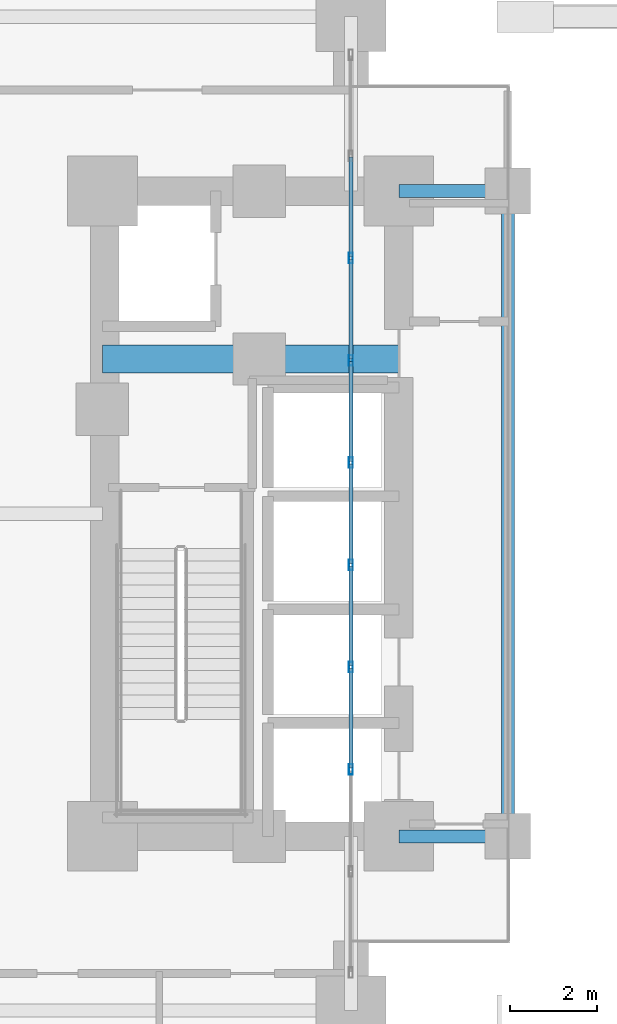
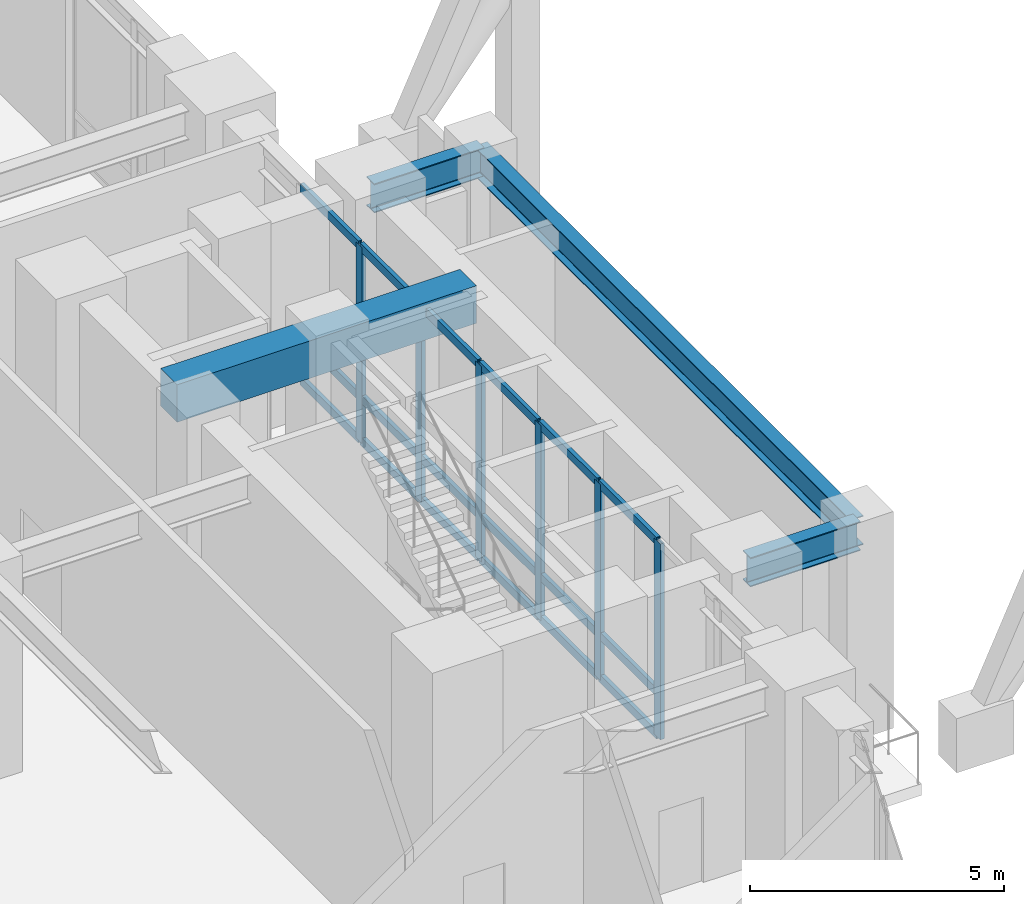
# One storey, part 5 of 26: 24 members, 4 beams, 1 element without a shape of its own.
"""IFC4 building model written with IfcOpenShell, lengths in metres."""

from ifc_helpers import new_model, si_unit, direction, frame, origin, origin_2d, place, context, subcontext, project, spatial, rectangle, hollow_rectangle, i_section, extrude, material, layer, layer_set, material_profile, profile_set, type_object, element, aggregate, save


model = new_model("IFC4")

# Units and contexts
model_context = context("Model", 3, precision=1e-05, world=origin(), true_north=direction((0.0, 1.0)))
body_context = subcontext(model_context, "Body", "Model", "MODEL_VIEW")
ifc_project = project(units=[si_unit("LENGTHUNIT", "METRE"), si_unit("AREAUNIT", "SQUARE_METRE"), si_unit("VOLUMEUNIT", "CUBIC_METRE"), si_unit("PLANEANGLEUNIT", "RADIAN"), si_unit("MASSUNIT", "GRAM", prefix="KILO")], contexts=[model_context])

# Site, building, storey
site_placement = place(None, origin())
site = spatial("IfcSite", under=ifc_project, at=site_placement, CompositionType="ELEMENT")
building_placement = place(site_placement, origin())
building = spatial("IfcBuilding", under=site, at=building_placement, Name="Voryun Gate Residences", CompositionType="ELEMENT")
storey_placement = place(building_placement, frame((0.0, 0.0, 10.39990234375)))
storey = spatial("IfcBuildingStorey", under=building, at=storey_placement, Name="L02", CompositionType="ELEMENT", Elevation=10.39990234375)

# Beams
ifc_material_1 = material(Name="Concrete C60/75", Category="concrete")
ifc_material_profile_1 = material_profile(ifc_material_1, rectangle(XDim=0.64990234375, YDim=0.89990234375, at=origin_2d()), Name="RC-650x900")
ifc_profile_set_1 = profile_set([ifc_material_profile_1], Name="Concrete C60/75")
beam_type_1 = type_object("IfcBeamType", Name="BM_COUP_RC900", PredefinedType="LINTEL", material=ifc_profile_set_1)
beam_1_placement = place(storey_placement, frame((-19.199951171875, 3.550048828125, 4.47021484375), z_axis=(1.0, 0.0, 0.0), x_axis=(0.0, 1.0, 0.0)))
element("IfcBeam", 1, at=beam_1_placement, inside=storey, type_object=beam_type_1, Name="BM-L02-WC1", PredefinedType="LINTEL", context=body_context, shape_type="SweptSolid", body=[
    extrude(rectangle(XDim=0.64990234375, YDim=0.89990234375, at=origin_2d()), origin(), (0.0, 0.0, 1.0), 6.800048828125),
])
ifc_material_2 = material(Name="Steel SM355", Category="steel")
ifc_material_profile_2 = material_profile(ifc_material_2, i_section(OverallWidth=0.300048828125, OverallDepth=0.699951171875, WebThickness=0.012939453125, FlangeThickness=0.02392578125, FilletRadius=0.01806640625, at=origin_2d()), Name="H-700x300x13x24")
ifc_profile_set_2 = profile_set([ifc_material_profile_2], Name="Steel SM355")
beam_type_2 = type_object("IfcBeamType", Name="BM_GIRD_700", PredefinedType="USERDEFINED", material=ifc_profile_set_2)
for number, where, z_axis, x_axis, name in (
    (2, (-12.39990234375, -7.39990234375, 4.570068359375), (1.0, 0.0, 0.0), (0.0, 1.0, 0.0), "BM-L02-CLRX-CLR-WS"),
    (3, (-12.39990234375, 7.39990234375, 4.570068359375), (1.0, 0.0, 0.0), (0.0, 1.0, 0.0), "BM-L02-CLRX-CLR-WN"),
):
    element("IfcBeam", number, at=place(storey_placement, frame(where, z_axis=z_axis, x_axis=x_axis)), inside=storey, type_object=beam_type_2, Name=name, ObjectType="GIRDER", PredefinedType="USERDEFINED", context=body_context, shape_type="SweptSolid", body=[
        extrude(i_section(OverallWidth=0.300048828125, OverallDepth=0.699951171875, WebThickness=0.012939453125, FlangeThickness=0.02392578125, FilletRadius=0.01806640625, at=origin_2d()), origin(), (0.0, 0.0, 1.0), 2.5),
    ])
beam_2_placement = place(storey_placement, frame((-9.89990234375, -7.39990234375, 4.570068359375), z_axis=(0.0, 1.0, 0.0), x_axis=(-1.0, 0.0, 0.0)))
element("IfcBeam", 4, at=beam_2_placement, inside=storey, type_object=beam_type_2, Name="BM-L02-CLRY-W", ObjectType="GIRDER", PredefinedType="USERDEFINED", context=body_context, shape_type="SweptSolid", body=[
    extrude(i_section(OverallWidth=0.300048828125, OverallDepth=0.699951171875, WebThickness=0.012939453125, FlangeThickness=0.02392578125, FilletRadius=0.01806640625, at=origin_2d()), origin(), (0.0, 0.0, 1.0), 14.7998046875),
])

# Curtain wall, members
ifc_material_3 = material(Name="Anodised aluminium", Category="aluminium")
ifc_layer = layer(ifc_material_3, 0.239990234375, Name="CW_SYS_ARCH_DARK_GLASS")
ifc_layer_set = layer_set([ifc_layer], Name="Anodised aluminium")
curtain_wall_type = type_object("IfcCurtainWallType", Name="CW_SYS_ARCH_DARK_GLASS", PredefinedType="NOTDEFINED", material=ifc_layer_set)
curtain_wall_placement = place(storey_placement, origin())
curtain_wall = element("IfcCurtainWall", 5, at=curtain_wall_placement, inside=storey, type_object=curtain_wall_type, Name="Curtain wall CW2-L02-WP-M", PredefinedType="NOTDEFINED")
ifc_material_4 = material(Name="Anodised aluminium", Category="aluminium")
ifc_material_profile_3 = material_profile(ifc_material_4, hollow_rectangle(XDim=0.090087890625, YDim=0.239990234375, WallThickness=0.006103515625, at=origin_2d()), Name="ALU-MULL-240x90x6")
ifc_profile_set_3 = profile_set([ifc_material_profile_3], Name="Anodised aluminium")
member_type_1 = type_object("IfcMemberType", Name="CW_MULL_ARCH", PredefinedType="MULLION", material=ifc_profile_set_3)
member_1_placement = place(storey_placement, frame((-13.5, -5.86376953125, 0.0), z_axis=(0.0, 0.0, 1.0), x_axis=(-1.0, 0.0, 0.0)))
member_1 = element("IfcMember", 6, at=member_1_placement, type_object=member_type_1, Name="CW2 mullion 3", PredefinedType="MULLION", context=body_context, shape_type="SweptSolid", body=[
    extrude(hollow_rectangle(XDim=0.090087890625, YDim=0.239990234375, WallThickness=0.006103515625, at=origin_2d()), origin(), (0.0, 0.0, 1.0), 4.7001953125),
])
member_2_placement = place(storey_placement, frame((-13.5, -3.518310546875, 0.0), z_axis=(0.0, 0.0, 1.0), x_axis=(-1.0, 0.0, 0.0)))
member_2 = element("IfcMember", 7, at=member_2_placement, type_object=member_type_1, Name="CW2 mullion 4", PredefinedType="MULLION", context=body_context, shape_type="SweptSolid", body=[
    extrude(hollow_rectangle(XDim=0.090087890625, YDim=0.239990234375, WallThickness=0.006103515625, at=origin_2d()), origin(), (0.0, 0.0, 1.0), 4.7001953125),
])
member_3_placement = place(storey_placement, frame((-13.5, -1.1728515625, 0.0), z_axis=(0.0, 0.0, 1.0), x_axis=(-1.0, 0.0, 0.0)))
member_3 = element("IfcMember", 8, at=member_3_placement, type_object=member_type_1, Name="CW2 mullion 5", PredefinedType="MULLION", context=body_context, shape_type="SweptSolid", body=[
    extrude(hollow_rectangle(XDim=0.090087890625, YDim=0.239990234375, WallThickness=0.006103515625, at=origin_2d()), origin(), (0.0, 0.0, 1.0), 4.7001953125),
])
member_4_placement = place(storey_placement, frame((-13.5, 1.1728515625, 0.0), z_axis=(0.0, 0.0, 1.0), x_axis=(-1.0, 0.0, 0.0)))
member_4 = element("IfcMember", 9, at=member_4_placement, type_object=member_type_1, Name="CW2 mullion 6", PredefinedType="MULLION", context=body_context, shape_type="SweptSolid", body=[
    extrude(hollow_rectangle(XDim=0.090087890625, YDim=0.239990234375, WallThickness=0.006103515625, at=origin_2d()), origin(), (0.0, 0.0, 1.0), 4.7001953125),
])
member_5_placement = place(storey_placement, frame((-13.5, 3.518310546875, 0.0), z_axis=(0.0, 0.0, 1.0), x_axis=(-1.0, 0.0, 0.0)))
member_5 = element("IfcMember", 10, at=member_5_placement, type_object=member_type_1, Name="CW2 mullion 7", PredefinedType="MULLION", context=body_context, shape_type="SweptSolid", body=[
    extrude(hollow_rectangle(XDim=0.090087890625, YDim=0.239990234375, WallThickness=0.006103515625, at=origin_2d()), origin(), (0.0, 0.0, 1.0), 4.7001953125),
])
member_6_placement = place(storey_placement, frame((-13.5, 5.86376953125, 0.0), z_axis=(0.0, 0.0, 1.0), x_axis=(-1.0, 0.0, 0.0)))
member_6 = element("IfcMember", 11, at=member_6_placement, type_object=member_type_1, Name="CW2 mullion 8", PredefinedType="MULLION", context=body_context, shape_type="SweptSolid", body=[
    extrude(hollow_rectangle(XDim=0.090087890625, YDim=0.239990234375, WallThickness=0.006103515625, at=origin_2d()), origin(), (0.0, 0.0, 1.0), 4.7001953125),
])
ifc_material_5 = material(Name="Anodised aluminium", Category="aluminium")
ifc_material_profile_4 = material_profile(ifc_material_5, hollow_rectangle(XDim=0.090087890625, YDim=0.199951171875, WallThickness=0.006103515625, at=origin_2d()), Name="ALU-TRAN-200x90x6")
ifc_profile_set_4 = profile_set([ifc_material_profile_4], Name="Anodised aluminium")
member_type_2 = type_object("IfcMemberType", Name="CW_TRAN_ARCH", PredefinedType="USERDEFINED", material=ifc_profile_set_4)
member_7_placement = place(storey_placement, frame((-13.5, -5.833984375, 0.030029296875), z_axis=(0.0, 1.0, 0.0), x_axis=(-1.0, 0.0, 0.0)))
member_7 = element("IfcMember", 12, at=member_7_placement, type_object=member_type_2, Name="CW2 transom 3.1", ObjectType="TRANSOM", PredefinedType="USERDEFINED", context=body_context, shape_type="SweptSolid", body=[
    extrude(hollow_rectangle(XDim=0.090087890625, YDim=0.199951171875, WallThickness=0.006103515625, at=origin_2d()), origin(), (0.0, 0.0, 1.0), 2.28564453125),
])
member_8_placement = place(storey_placement, frame((-13.5, -5.833984375, 1.050048828125), z_axis=(0.0, 1.0, 0.0), x_axis=(-1.0, 0.0, 0.0)))
member_8 = element("IfcMember", 13, at=member_8_placement, type_object=member_type_2, Name="CW2 transom 3.2", ObjectType="TRANSOM", PredefinedType="USERDEFINED", context=body_context, shape_type="SweptSolid", body=[
    extrude(hollow_rectangle(XDim=0.090087890625, YDim=0.199951171875, WallThickness=0.006103515625, at=origin_2d()), origin(), (0.0, 0.0, 1.0), 2.28564453125),
])
member_9_placement = place(storey_placement, frame((-13.5, -5.833984375, 4.670166015625), z_axis=(0.0, 1.0, 0.0), x_axis=(-1.0, 0.0, 0.0)))
member_9 = element("IfcMember", 14, at=member_9_placement, type_object=member_type_2, Name="CW2 transom 3.3", ObjectType="TRANSOM", PredefinedType="USERDEFINED", context=body_context, shape_type="SweptSolid", body=[
    extrude(hollow_rectangle(XDim=0.090087890625, YDim=0.199951171875, WallThickness=0.006103515625, at=origin_2d()), origin(), (0.0, 0.0, 1.0), 2.28564453125),
])
member_10_placement = place(storey_placement, frame((-13.5, -3.48828125, 0.030029296875), z_axis=(0.0, 1.0, 0.0), x_axis=(-1.0, 0.0, 0.0)))
member_10 = element("IfcMember", 15, at=member_10_placement, type_object=member_type_2, Name="CW2 transom 4.1", ObjectType="TRANSOM", PredefinedType="USERDEFINED", context=body_context, shape_type="SweptSolid", body=[
    extrude(hollow_rectangle(XDim=0.090087890625, YDim=0.199951171875, WallThickness=0.006103515625, at=origin_2d()), origin(), (0.0, 0.0, 1.0), 2.285400390625),
])
member_11_placement = place(storey_placement, frame((-13.5, -3.48828125, 1.050048828125), z_axis=(0.0, 1.0, 0.0), x_axis=(-1.0, 0.0, 0.0)))
member_11 = element("IfcMember", 16, at=member_11_placement, type_object=member_type_2, Name="CW2 transom 4.2", ObjectType="TRANSOM", PredefinedType="USERDEFINED", context=body_context, shape_type="SweptSolid", body=[
    extrude(hollow_rectangle(XDim=0.090087890625, YDim=0.199951171875, WallThickness=0.006103515625, at=origin_2d()), origin(), (0.0, 0.0, 1.0), 2.285400390625),
])
member_12_placement = place(storey_placement, frame((-13.5, -3.48828125, 4.670166015625), z_axis=(0.0, 1.0, 0.0), x_axis=(-1.0, 0.0, 0.0)))
member_12 = element("IfcMember", 17, at=member_12_placement, type_object=member_type_2, Name="CW2 transom 4.3", ObjectType="TRANSOM", PredefinedType="USERDEFINED", context=body_context, shape_type="SweptSolid", body=[
    extrude(hollow_rectangle(XDim=0.090087890625, YDim=0.199951171875, WallThickness=0.006103515625, at=origin_2d()), origin(), (0.0, 0.0, 1.0), 2.285400390625),
])
member_13_placement = place(storey_placement, frame((-13.5, -1.142822265625, 0.030029296875), z_axis=(0.0, 1.0, 0.0), x_axis=(-1.0, 0.0, 0.0)))
member_13 = element("IfcMember", 18, at=member_13_placement, type_object=member_type_2, Name="CW2 transom 5.1", ObjectType="TRANSOM", PredefinedType="USERDEFINED", context=body_context, shape_type="SweptSolid", body=[
    extrude(hollow_rectangle(XDim=0.090087890625, YDim=0.199951171875, WallThickness=0.006103515625, at=origin_2d()), origin(), (0.0, 0.0, 1.0), 2.28564453125),
])
member_14_placement = place(storey_placement, frame((-13.5, -1.142822265625, 1.050048828125), z_axis=(0.0, 1.0, 0.0), x_axis=(-1.0, 0.0, 0.0)))
member_14 = element("IfcMember", 19, at=member_14_placement, type_object=member_type_2, Name="CW2 transom 5.2", ObjectType="TRANSOM", PredefinedType="USERDEFINED", context=body_context, shape_type="SweptSolid", body=[
    extrude(hollow_rectangle(XDim=0.090087890625, YDim=0.199951171875, WallThickness=0.006103515625, at=origin_2d()), origin(), (0.0, 0.0, 1.0), 2.28564453125),
])
member_15_placement = place(storey_placement, frame((-13.5, -1.142822265625, 4.670166015625), z_axis=(0.0, 1.0, 0.0), x_axis=(-1.0, 0.0, 0.0)))
member_15 = element("IfcMember", 20, at=member_15_placement, type_object=member_type_2, Name="CW2 transom 5.3", ObjectType="TRANSOM", PredefinedType="USERDEFINED", context=body_context, shape_type="SweptSolid", body=[
    extrude(hollow_rectangle(XDim=0.090087890625, YDim=0.199951171875, WallThickness=0.006103515625, at=origin_2d()), origin(), (0.0, 0.0, 1.0), 2.28564453125),
])
member_16_placement = place(storey_placement, frame((-13.5, 1.202880859375, 0.030029296875), z_axis=(0.0, 1.0, 0.0), x_axis=(-1.0, 0.0, 0.0)))
member_16 = element("IfcMember", 21, at=member_16_placement, type_object=member_type_2, Name="CW2 transom 6.1", ObjectType="TRANSOM", PredefinedType="USERDEFINED", context=body_context, shape_type="SweptSolid", body=[
    extrude(hollow_rectangle(XDim=0.090087890625, YDim=0.199951171875, WallThickness=0.006103515625, at=origin_2d()), origin(), (0.0, 0.0, 1.0), 2.285400390625),
])
member_17_placement = place(storey_placement, frame((-13.5, 1.202880859375, 1.050048828125), z_axis=(0.0, 1.0, 0.0), x_axis=(-1.0, 0.0, 0.0)))
member_17 = element("IfcMember", 22, at=member_17_placement, type_object=member_type_2, Name="CW2 transom 6.2", ObjectType="TRANSOM", PredefinedType="USERDEFINED", context=body_context, shape_type="SweptSolid", body=[
    extrude(hollow_rectangle(XDim=0.090087890625, YDim=0.199951171875, WallThickness=0.006103515625, at=origin_2d()), origin(), (0.0, 0.0, 1.0), 2.285400390625),
])
member_18_placement = place(storey_placement, frame((-13.5, 1.202880859375, 4.670166015625), z_axis=(0.0, 1.0, 0.0), x_axis=(-1.0, 0.0, 0.0)))
member_18 = element("IfcMember", 23, at=member_18_placement, type_object=member_type_2, Name="CW2 transom 6.3", ObjectType="TRANSOM", PredefinedType="USERDEFINED", context=body_context, shape_type="SweptSolid", body=[
    extrude(hollow_rectangle(XDim=0.090087890625, YDim=0.199951171875, WallThickness=0.006103515625, at=origin_2d()), origin(), (0.0, 0.0, 1.0), 2.285400390625),
])
member_19_placement = place(storey_placement, frame((-13.5, 3.54833984375, 0.030029296875), z_axis=(0.0, 1.0, 0.0), x_axis=(-1.0, 0.0, 0.0)))
member_19 = element("IfcMember", 24, at=member_19_placement, type_object=member_type_2, Name="CW2 transom 7.1", ObjectType="TRANSOM", PredefinedType="USERDEFINED", context=body_context, shape_type="SweptSolid", body=[
    extrude(hollow_rectangle(XDim=0.090087890625, YDim=0.199951171875, WallThickness=0.006103515625, at=origin_2d()), origin(), (0.0, 0.0, 1.0), 2.28564453125),
])
member_20_placement = place(storey_placement, frame((-13.5, 3.54833984375, 1.050048828125), z_axis=(0.0, 1.0, 0.0), x_axis=(-1.0, 0.0, 0.0)))
member_20 = element("IfcMember", 25, at=member_20_placement, type_object=member_type_2, Name="CW2 transom 7.2", ObjectType="TRANSOM", PredefinedType="USERDEFINED", context=body_context, shape_type="SweptSolid", body=[
    extrude(hollow_rectangle(XDim=0.090087890625, YDim=0.199951171875, WallThickness=0.006103515625, at=origin_2d()), origin(), (0.0, 0.0, 1.0), 2.28564453125),
])
member_21_placement = place(storey_placement, frame((-13.5, 3.54833984375, 4.670166015625), z_axis=(0.0, 1.0, 0.0), x_axis=(-1.0, 0.0, 0.0)))
member_21 = element("IfcMember", 26, at=member_21_placement, type_object=member_type_2, Name="CW2 transom 7.3", ObjectType="TRANSOM", PredefinedType="USERDEFINED", context=body_context, shape_type="SweptSolid", body=[
    extrude(hollow_rectangle(XDim=0.090087890625, YDim=0.199951171875, WallThickness=0.006103515625, at=origin_2d()), origin(), (0.0, 0.0, 1.0), 2.28564453125),
])
member_22_placement = place(storey_placement, frame((-13.5, 5.893798828125, 0.030029296875), z_axis=(0.0, 1.0, 0.0), x_axis=(-1.0, 0.0, 0.0)))
member_22 = element("IfcMember", 27, at=member_22_placement, type_object=member_type_2, Name="CW2 transom 8.1", ObjectType="TRANSOM", PredefinedType="USERDEFINED", context=body_context, shape_type="SweptSolid", body=[
    extrude(hollow_rectangle(XDim=0.090087890625, YDim=0.199951171875, WallThickness=0.006103515625, at=origin_2d()), origin(), (0.0, 0.0, 1.0), 2.28564453125),
])
member_23_placement = place(storey_placement, frame((-13.5, 5.893798828125, 1.050048828125), z_axis=(0.0, 1.0, 0.0), x_axis=(-1.0, 0.0, 0.0)))
member_23 = element("IfcMember", 28, at=member_23_placement, type_object=member_type_2, Name="CW2 transom 8.2", ObjectType="TRANSOM", PredefinedType="USERDEFINED", context=body_context, shape_type="SweptSolid", body=[
    extrude(hollow_rectangle(XDim=0.090087890625, YDim=0.199951171875, WallThickness=0.006103515625, at=origin_2d()), origin(), (0.0, 0.0, 1.0), 2.28564453125),
])
member_24_placement = place(storey_placement, frame((-13.5, 5.893798828125, 4.670166015625), z_axis=(0.0, 1.0, 0.0), x_axis=(-1.0, 0.0, 0.0)))
member_24 = element("IfcMember", 29, at=member_24_placement, type_object=member_type_2, Name="CW2 transom 8.3", ObjectType="TRANSOM", PredefinedType="USERDEFINED", context=body_context, shape_type="SweptSolid", body=[
    extrude(hollow_rectangle(XDim=0.090087890625, YDim=0.199951171875, WallThickness=0.006103515625, at=origin_2d()), origin(), (0.0, 0.0, 1.0), 2.28564453125),
])
aggregate(curtain_wall, [member_1, member_2, member_3, member_4, member_5, member_6, member_7, member_8, member_9, member_10, member_11, member_12, member_13, member_14, member_15, member_16, member_17, member_18, member_19, member_20, member_21, member_22, member_23, member_24])

save(model, "model.ifc")
